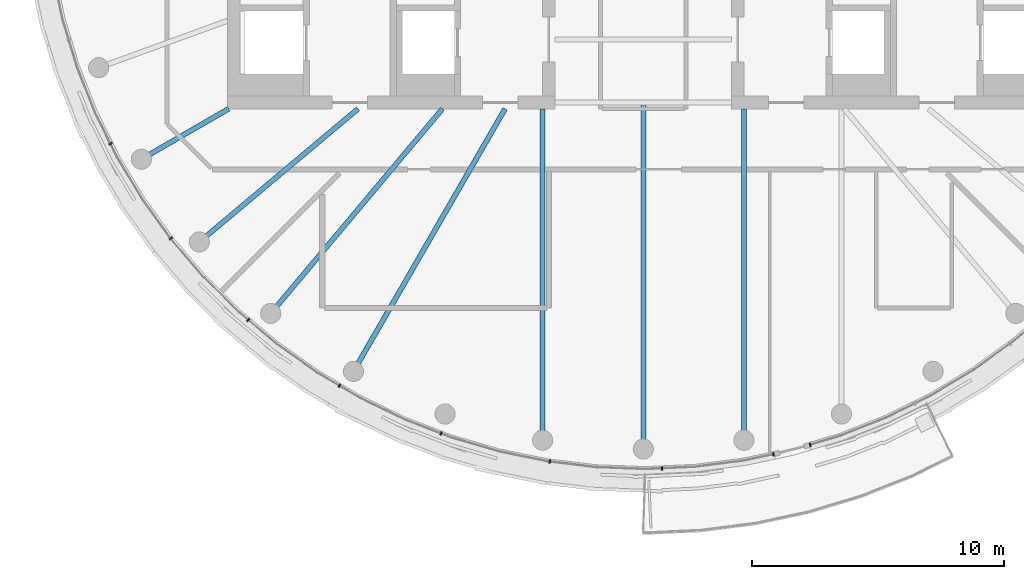
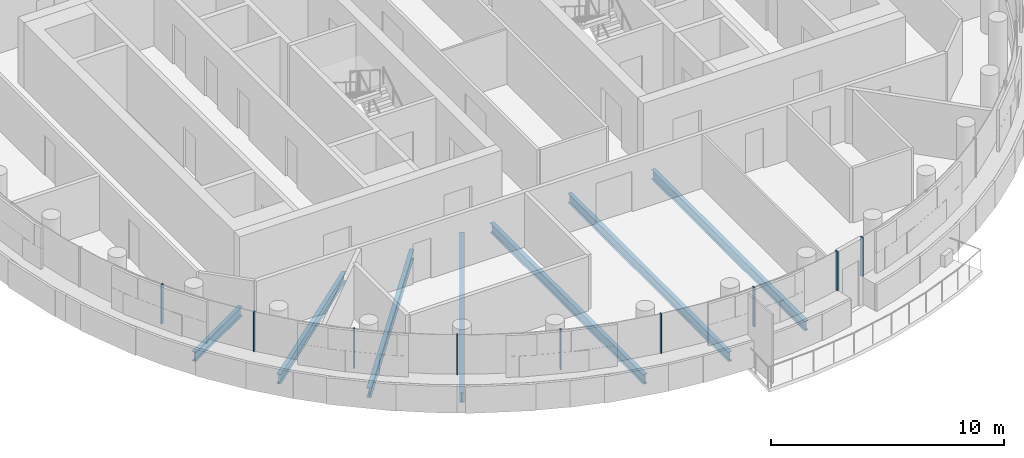
# One storey, part 2 of 21: 9 members, 7 beams, 1 element without a shape of its own.
"""IFC4 building model written with IfcOpenShell, lengths in metres."""

from ifc_helpers import new_model, si_unit, direction, frame, origin, origin_2d, place, context, subcontext, project, spatial, rectangle, i_section, extrude, material, layer, layer_set, material_profile, profile_set, type_object, element, aggregate, save


model = new_model("IFC4")

# Units and contexts
model_context = context("Model", 3, precision=1e-05, world=origin(), true_north=direction((0.0, 1.0)))
body_context = subcontext(model_context, "Body", "Model", "MODEL_VIEW")
ifc_project = project(units=[si_unit("LENGTHUNIT", "METRE"), si_unit("AREAUNIT", "SQUARE_METRE"), si_unit("VOLUMEUNIT", "CUBIC_METRE"), si_unit("PLANEANGLEUNIT", "RADIAN"), si_unit("MASSUNIT", "GRAM", prefix="KILO")], contexts=[model_context])

# Site, building, storey
site_placement = place(None, origin())
site = spatial("IfcSite", under=ifc_project, at=site_placement, CompositionType="ELEMENT")
building_placement = place(site_placement, origin())
building = spatial("IfcBuilding", under=site, at=building_placement, Name="Tamarind Cross Interchange Tower", CompositionType="ELEMENT")
storey_placement = place(building_placement, frame((0.0, 0.0, 260.39990234375)))
storey = spatial("IfcBuildingStorey", under=building, at=storey_placement, Name="L66", CompositionType="ELEMENT", Elevation=260.39990234375)

# Beams
ifc_material_1 = material(Name="Steel Q355B", Category="steel")
ifc_material_profile_1 = material_profile(ifc_material_1, i_section(OverallWidth=0.198974609375, OverallDepth=0.49609375, WebThickness=0.009033203125, FlangeThickness=0.013916015625, FilletRadius=0.012939453125, at=origin_2d()), Name="HN 496x199x9x14")
ifc_profile_set_1 = profile_set([ifc_material_profile_1], Name="Steel Q355B")
beam_type = type_object("IfcBeamType", Name="Composite beam HN 496x199x9x14 Q355B", PredefinedType="BEAM", material=ifc_profile_set_1)
beam_1_placement = place(storey_placement, frame((-19.918701171875, -11.5, -0.387939453125), z_axis=(0.866026010844, 0.49999894854, 0.0), x_axis=(-0.49999894854, 0.866026010844, 0.0)))
element("IfcBeam", 1, at=beam_1_placement, inside=storey, type_object=beam_type, Name="Beam HH21", PredefinedType="BEAM", context=body_context, shape_type="SweptSolid", body=[
    extrude(i_section(OverallWidth=0.198974609375, OverallDepth=0.49609375, WebThickness=0.009033203125, FlangeThickness=0.013916015625, FilletRadius=0.012939453125, at=origin_2d()), origin(), (0.0, 0.0, 1.0), 4.0),
])
beam_2_placement = place(storey_placement, frame((-17.619140625, -14.7841796875, -0.387939453125), z_axis=(0.766040580814, 0.642792212574, 0.0), x_axis=(-0.642792212574, 0.766040580814, 0.0)))
element("IfcBeam", 2, at=beam_2_placement, inside=storey, type_object=beam_type, Name="Beam HH22", PredefinedType="BEAM", context=body_context, shape_type="SweptSolid", body=[
    extrude(i_section(OverallWidth=0.198974609375, OverallDepth=0.49609375, WebThickness=0.009033203125, FlangeThickness=0.013916015625, FilletRadius=0.012939453125, at=origin_2d()), origin(), (0.0, 0.0, 1.0), 8.220703125),
])
beam_3_placement = place(storey_placement, frame((-14.7841796875, -17.619140625, -0.387939453125), z_axis=(0.642786293979, 0.766045547127, 0.0), x_axis=(-0.766045547127, 0.642786293979, 0.0)))
element("IfcBeam", 3, at=beam_3_placement, inside=storey, type_object=beam_type, Name="Beam HH23", PredefinedType="BEAM", context=body_context, shape_type="SweptSolid", body=[
    extrude(i_section(OverallWidth=0.198974609375, OverallDepth=0.49609375, WebThickness=0.009033203125, FlangeThickness=0.013916015625, FilletRadius=0.012939453125, at=origin_2d()), origin(), (0.0, 0.0, 1.0), 10.598876953125),
])
beam_4_placement = place(storey_placement, frame((-11.5, -19.918701171875, -0.387939453125), z_axis=(0.499993565836, 0.866029118519, 0.0), x_axis=(-0.866029118519, 0.499993565836, 0.0)))
element("IfcBeam", 4, at=beam_4_placement, inside=storey, type_object=beam_type, Name="Beam HH24", PredefinedType="BEAM", context=body_context, shape_type="SweptSolid", body=[
    extrude(i_section(OverallWidth=0.198974609375, OverallDepth=0.49609375, WebThickness=0.009033203125, FlangeThickness=0.013916015625, FilletRadius=0.012939453125, at=origin_2d()), origin(), (0.0, 0.0, 1.0), 12.030517578125),
])
beam_5_placement = place(storey_placement, frame((-3.993896484375, -22.650634765625, -0.387939453125), z_axis=(0.0, 1.0, 0.0), x_axis=(-1.0, 0.0, 0.0)))
element("IfcBeam", 5, at=beam_5_placement, inside=storey, type_object=beam_type, Name="Beam HH26", PredefinedType="BEAM", context=body_context, shape_type="SweptSolid", body=[
    extrude(i_section(OverallWidth=0.198974609375, OverallDepth=0.49609375, WebThickness=0.009033203125, FlangeThickness=0.013916015625, FilletRadius=0.012939453125, at=origin_2d()), origin(), (0.0, 0.0, 1.0), 13.150634765625),
])
beam_6_placement = place(storey_placement, frame((0.0, -23.0, -0.387939453125), z_axis=(0.0, 1.0, 0.0), x_axis=(-1.0, 0.0, 0.0)))
element("IfcBeam", 6, at=beam_6_placement, inside=storey, type_object=beam_type, Name="Beam HH27", PredefinedType="BEAM", context=body_context, shape_type="SweptSolid", body=[
    extrude(i_section(OverallWidth=0.198974609375, OverallDepth=0.49609375, WebThickness=0.009033203125, FlangeThickness=0.013916015625, FilletRadius=0.012939453125, at=origin_2d()), origin(), (0.0, 0.0, 1.0), 13.75),
])
beam_7_placement = place(storey_placement, frame((3.993896484375, -22.650634765625, -0.387939453125), z_axis=(0.0, 1.0, 0.0), x_axis=(-1.0, 0.0, 0.0)))
element("IfcBeam", 7, at=beam_7_placement, inside=storey, type_object=beam_type, Name="Beam HH28", PredefinedType="BEAM", context=body_context, shape_type="SweptSolid", body=[
    extrude(i_section(OverallWidth=0.198974609375, OverallDepth=0.49609375, WebThickness=0.009033203125, FlangeThickness=0.013916015625, FilletRadius=0.012939453125, at=origin_2d()), origin(), (0.0, 0.0, 1.0), 13.150634765625),
])

# Curtain wall, members
ifc_material_2 = material(Name="Aluminium 6063-T6", Category="aluminium")
ifc_layer = layer(ifc_material_2, 0.139892578125)
ifc_layer_set = layer_set([ifc_layer], Name="Aluminium 6063-T6")
curtain_wall_type = type_object("IfcCurtainWallType", Name="Hotel curtain wall, 4.5 m bays", PredefinedType="NOTDEFINED", material=ifc_layer_set)
curtain_wall_placement = place(storey_placement, origin())
curtain_wall = element("IfcCurtainWall", 8, at=curtain_wall_placement, inside=storey, type_object=curtain_wall_type, Name="CWS-L66-01", PredefinedType="NOTDEFINED")
ifc_material_profile_2 = material_profile(ifc_material_2, rectangle(XDim=0.06005859375, YDim=0.139892578125, at=origin_2d()), Name="Mullion CW2")
ifc_profile_set_2 = profile_set([ifc_material_profile_2], Name="Aluminium 6063-T6")
member_type = type_object("IfcMemberType", Name="Mullion CW2", PredefinedType="MULLION", material=ifc_profile_set_2)
member_1_placement = place(storey_placement, frame((-21.141845703125, -10.88330078125, 1.400146484375), z_axis=(0.0, 0.0, 1.0), x_axis=(0.443058811505, -0.896492548518, 0.0)))
member_1 = element("IfcMember", 9, at=member_1_placement, type_object=member_type, Name="CWM-L66-01-08", PredefinedType="MULLION", context=body_context, shape_type="SweptSolid", body=[
    extrude(rectangle(XDim=0.06005859375, YDim=0.139892578125, at=origin_2d()), origin(), (0.0, 0.0, 1.0), 2.06005859375),
])
member_2_placement = place(storey_placement, frame((-18.750244140625, -14.6474609375, 1.400146484375), z_axis=(0.0, 0.0, 1.0), x_axis=(0.584573890505, -0.811340475102, 0.0)))
member_2 = element("IfcMember", 10, at=member_2_placement, type_object=member_type, Name="CWM-L66-01-09", PredefinedType="MULLION", context=body_context, shape_type="SweptSolid", body=[
    extrude(rectangle(XDim=0.06005859375, YDim=0.139892578125, at=origin_2d()), origin(), (0.0, 0.0, 1.0), 2.06005859375),
])
member_3_placement = place(storey_placement, frame((-15.6787109375, -17.88037109375, 1.400146484375), z_axis=(0.0, 0.0, 1.0), x_axis=(0.765858396687, -0.643009266048, 0.0)))
member_3 = element("IfcMember", 11, at=member_3_placement, type_object=member_type, Name="CWM-L66-01-10", PredefinedType="MULLION", context=body_context, shape_type="SweptSolid", body=[
    extrude(rectangle(XDim=0.06005859375, YDim=0.139892578125, at=origin_2d()), origin(), (0.0, 0.0, 1.0), 2.06005859375),
])
member_4_placement = place(storey_placement, frame((-12.062255859375, -20.488525390625, 1.400146484375), z_axis=(0.0, 0.0, 1.0), x_axis=(0.861248933065, -0.508183308752, 0.0)))
member_4 = element("IfcMember", 12, at=member_4_placement, type_object=member_type, Name="CWM-L66-01-11", PredefinedType="MULLION", context=body_context, shape_type="SweptSolid", body=[
    extrude(rectangle(XDim=0.06005859375, YDim=0.139892578125, at=origin_2d()), origin(), (0.0, 0.0, 1.0), 2.06005859375),
])
member_5_placement = place(storey_placement, frame((-8.02734375, -22.38623046875, 1.400146484375), z_axis=(0.0, 0.0, 1.0), x_axis=(0.933146843667, -0.359495435512, 0.0)))
member_5 = element("IfcMember", 13, at=member_5_placement, type_object=member_type, Name="CWM-L66-01-12", PredefinedType="MULLION", context=body_context, shape_type="SweptSolid", body=[
    extrude(rectangle(XDim=0.06005859375, YDim=0.139892578125, at=origin_2d()), origin(), (0.0, 0.0, 1.0), 2.06005859375),
])
member_6_placement = place(storey_placement, frame((-3.70947265625, -23.500732421875, 1.400146484375), z_axis=(0.0, 0.0, 1.0), x_axis=(0.992843710523, -0.119420963295, 0.0)))
member_6 = element("IfcMember", 14, at=member_6_placement, type_object=member_type, Name="CWM-L66-01-13", PredefinedType="MULLION", context=body_context, shape_type="SweptSolid", body=[
    extrude(rectangle(XDim=0.06005859375, YDim=0.139892578125, at=origin_2d()), origin(), (0.0, 0.0, 1.0), 2.06005859375),
])
member_7_placement = place(storey_placement, frame((0.7421875, -23.766357421875, 1.400146484375), z_axis=(0.0, 0.0, 1.0), x_axis=(0.998958660912, 0.045624486728, 0.0)))
member_7 = element("IfcMember", 15, at=member_7_placement, type_object=member_type, Name="CWM-L66-01-14", PredefinedType="MULLION", context=body_context, shape_type="SweptSolid", body=[
    extrude(rectangle(XDim=0.06005859375, YDim=0.139892578125, at=origin_2d()), origin(), (0.0, 0.0, 1.0), 2.06005859375),
])
member_8_placement = place(storey_placement, frame((5.165771484375, -23.208251953125, 1.400146484375), z_axis=(0.0, 0.0, 1.0), x_axis=(0.977824623121, 0.209425419705, 0.0)))
member_8 = element("IfcMember", 16, at=member_8_placement, type_object=member_type, Name="CWM-L66-01-15", PredefinedType="MULLION", context=body_context, shape_type="SweptSolid", body=[
    extrude(rectangle(XDim=0.06005859375, YDim=0.139892578125, at=origin_2d()), origin(), (0.0, 0.0, 1.0), 2.06005859375),
])
member_9_placement = place(storey_placement, frame((6.625, -22.83544921875, 1.400146484375), z_axis=(0.0, 0.0, 1.0), x_axis=(0.957190642199, 0.289458243079, 0.0)))
member_9 = element("IfcMember", 17, at=member_9_placement, type_object=member_type, Name="CWM-L66-01-16", PredefinedType="MULLION", context=body_context, shape_type="SweptSolid", body=[
    extrude(rectangle(XDim=0.06005859375, YDim=0.139892578125, at=origin_2d()), origin(), (0.0, 0.0, 1.0), 2.06005859375),
])
aggregate(curtain_wall, [member_1, member_2, member_3, member_4, member_5, member_6, member_7, member_8, member_9])

save(model, "model.ifc")
